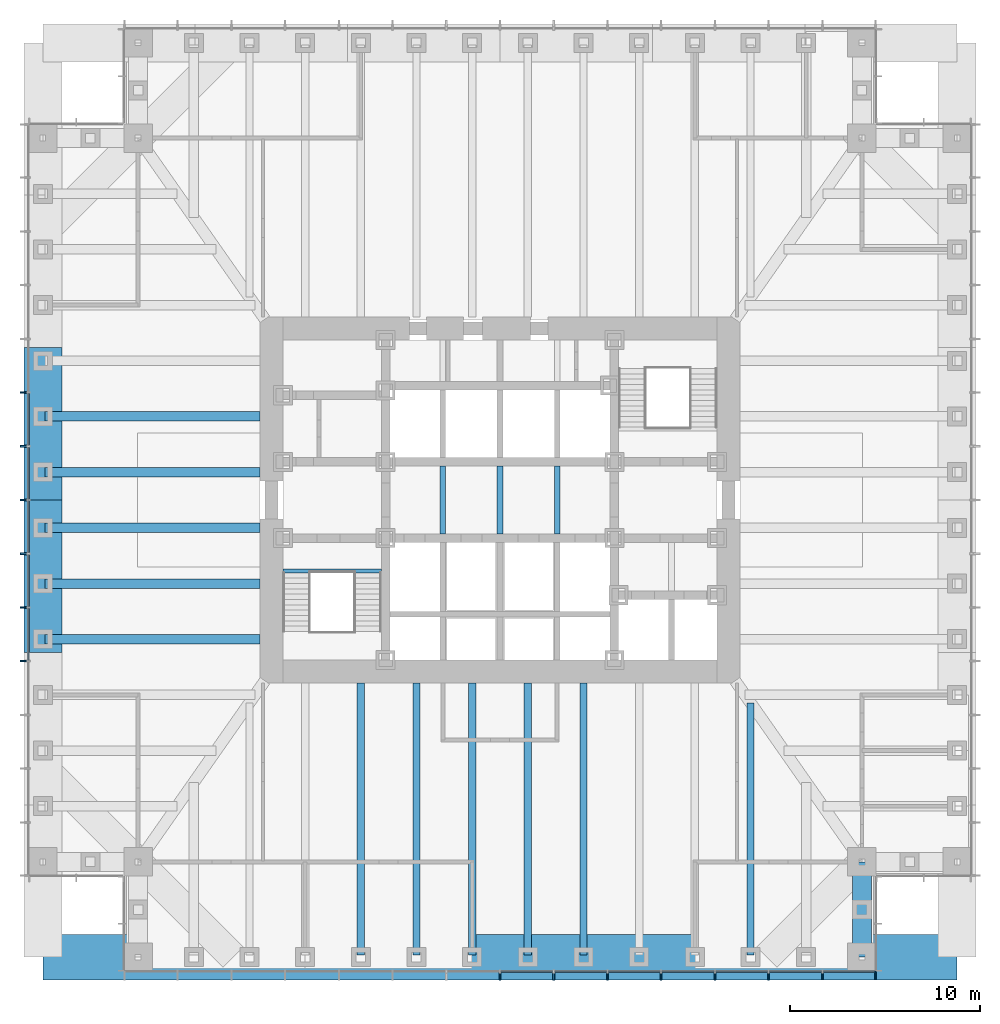
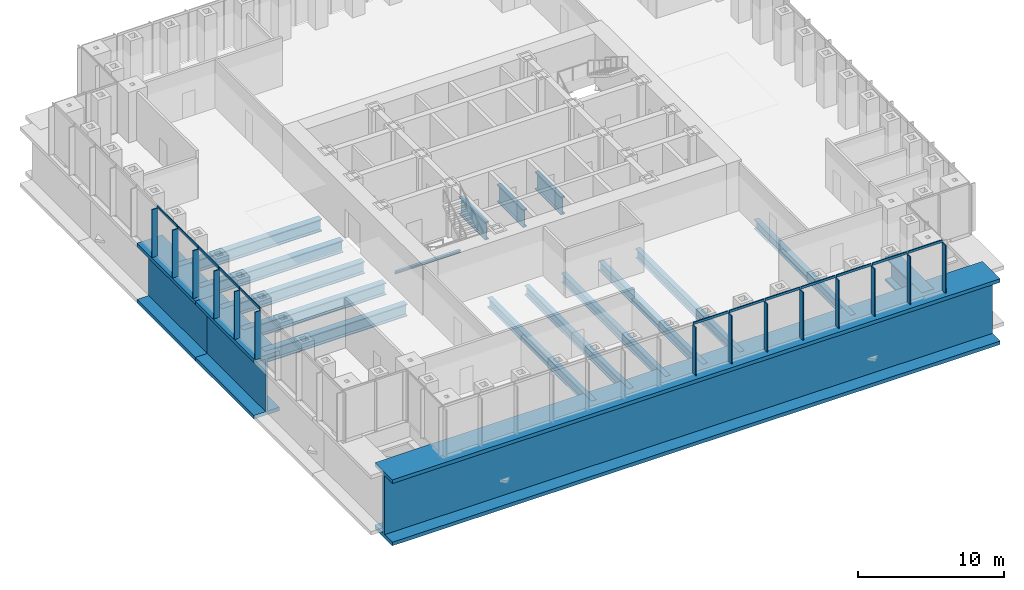
# One storey, part 3 of 16: 26 members, 19 beams, 2 elements without a shape of their own.
"""IFC4 building model written with IfcOpenShell, lengths in metres."""

from ifc_helpers import new_model, si_unit, direction, frame, origin, origin_2d, place, context, subcontext, project, spatial, rectangle, i_section, extrude, material, material_profile, profile_set, type_object, element, aggregate, save


model = new_model("IFC4")

# Units and contexts
model_context = context("Model", 3, precision=1e-05, world=origin(), true_north=direction((0.0, 1.0)))
body_context = subcontext(model_context, "Body", "Model", "MODEL_VIEW")
ifc_project = project(units=[si_unit("LENGTHUNIT", "METRE"), si_unit("AREAUNIT", "SQUARE_METRE"), si_unit("VOLUMEUNIT", "CUBIC_METRE"), si_unit("PLANEANGLEUNIT", "RADIAN"), si_unit("MASSUNIT", "GRAM", prefix="KILO")], contexts=[model_context])

# Site, building, storey
site_placement = place(None, origin())
site = spatial("IfcSite", under=ifc_project, at=site_placement, CompositionType="ELEMENT")
building_placement = place(site_placement, origin())
building = spatial("IfcBuilding", under=site, at=building_placement, Name="Daluyong Arena Tower", CompositionType="ELEMENT")
storey_placement = place(building_placement, frame((0.0, 0.0, 34.89990234375)))
storey = spatial("IfcBuildingStorey", under=building, at=storey_placement, Name="L06", CompositionType="ELEMENT", Elevation=34.89990234375)

# Curtain wall, members
ifc_material_1 = material(Name="Bronze anodised aluminium and glass", Category="aluminium")
curtain_wall_type = type_object("IfcCurtainWallType", Name="Curtain wall CW1", PredefinedType="USERDEFINED", material=ifc_material_1)
curtain_wall_1_placement = place(storey_placement, origin())
curtain_wall_1 = element("IfcCurtainWall", 1, at=curtain_wall_1_placement, inside=storey, type_object=curtain_wall_type, Name="curtain wall L06 S", ObjectType="UNITISED CURTAIN WALL", PredefinedType="USERDEFINED")
ifc_material_2 = material(Name="Bronze anodised aluminium fin", Category="aluminium")
ifc_material_profile_1 = material_profile(ifc_material_2, rectangle(XDim=0.449951171875, YDim=0.080078125, at=origin_2d()))
ifc_profile_set_1 = profile_set([ifc_material_profile_1], Name="Bronze anodised aluminium fin")
member_type_1 = type_object("IfcMemberType", Name="CW1 bronze fin 450x80", PredefinedType="MULLION", material=ifc_profile_set_1)
member_1_placement = place(storey_placement, frame((56.0, 55.02490234375, 0.0), z_axis=(0.0, 0.0, 1.0), x_axis=(0.0, 1.0, 0.0)))
member_1 = element("IfcMember", 2, at=member_1_placement, type_object=member_type_1, Name="curtain wall L06 S fin 8", PredefinedType="MULLION", context=body_context, shape_type="SweptSolid", body=[
    extrude(rectangle(XDim=0.449951171875, YDim=0.080078125, at=origin_2d()), origin(), (0.0, 0.0, 1.0), 4.0),
])
member_2_placement = place(storey_placement, frame((58.821533203125, 55.02490234375, 0.0), z_axis=(0.0, 0.0, 1.0), x_axis=(0.0, 1.0, 0.0)))
member_2 = element("IfcMember", 3, at=member_2_placement, type_object=member_type_1, Name="curtain wall L06 S fin 9", PredefinedType="MULLION", context=body_context, shape_type="SweptSolid", body=[
    extrude(rectangle(XDim=0.449951171875, YDim=0.080078125, at=origin_2d()), origin(), (0.0, 0.0, 1.0), 4.0),
])
member_3_placement = place(storey_placement, frame((61.642822265625, 55.02490234375, 0.0), z_axis=(0.0, 0.0, 1.0), x_axis=(0.0, 1.0, 0.0)))
member_3 = element("IfcMember", 4, at=member_3_placement, type_object=member_type_1, Name="curtain wall L06 S fin 10", PredefinedType="MULLION", context=body_context, shape_type="SweptSolid", body=[
    extrude(rectangle(XDim=0.449951171875, YDim=0.080078125, at=origin_2d()), origin(), (0.0, 0.0, 1.0), 4.0),
])
member_4_placement = place(storey_placement, frame((64.46435546875, 55.02490234375, 0.0), z_axis=(0.0, 0.0, 1.0), x_axis=(0.0, 1.0, 0.0)))
member_4 = element("IfcMember", 5, at=member_4_placement, type_object=member_type_1, Name="curtain wall L06 S fin 11", PredefinedType="MULLION", context=body_context, shape_type="SweptSolid", body=[
    extrude(rectangle(XDim=0.449951171875, YDim=0.080078125, at=origin_2d()), origin(), (0.0, 0.0, 1.0), 4.0),
])
member_5_placement = place(storey_placement, frame((67.28564453125, 55.02490234375, 0.0), z_axis=(0.0, 0.0, 1.0), x_axis=(0.0, 1.0, 0.0)))
member_5 = element("IfcMember", 6, at=member_5_placement, type_object=member_type_1, Name="curtain wall L06 S fin 12", PredefinedType="MULLION", context=body_context, shape_type="SweptSolid", body=[
    extrude(rectangle(XDim=0.449951171875, YDim=0.080078125, at=origin_2d()), origin(), (0.0, 0.0, 1.0), 4.0),
])
member_6_placement = place(storey_placement, frame((70.107177734375, 55.02490234375, 0.0), z_axis=(0.0, 0.0, 1.0), x_axis=(0.0, 1.0, 0.0)))
member_6 = element("IfcMember", 7, at=member_6_placement, type_object=member_type_1, Name="curtain wall L06 S fin 13", PredefinedType="MULLION", context=body_context, shape_type="SweptSolid", body=[
    extrude(rectangle(XDim=0.449951171875, YDim=0.080078125, at=origin_2d()), origin(), (0.0, 0.0, 1.0), 4.0),
])
member_7_placement = place(storey_placement, frame((72.928466796875, 55.02490234375, 0.0), z_axis=(0.0, 0.0, 1.0), x_axis=(0.0, 1.0, 0.0)))
member_7 = element("IfcMember", 8, at=member_7_placement, type_object=member_type_1, Name="curtain wall L06 S fin 14", PredefinedType="MULLION", context=body_context, shape_type="SweptSolid", body=[
    extrude(rectangle(XDim=0.449951171875, YDim=0.080078125, at=origin_2d()), origin(), (0.0, 0.0, 1.0), 4.0),
])
member_8_placement = place(storey_placement, frame((75.7099609375, 55.02490234375, 0.0), z_axis=(0.0, 0.0, 1.0), x_axis=(0.0, 1.0, 0.0)))
member_8 = element("IfcMember", 9, at=member_8_placement, type_object=member_type_1, Name="curtain wall L06 S fin 15", PredefinedType="MULLION", context=body_context, shape_type="SweptSolid", body=[
    extrude(rectangle(XDim=0.449951171875, YDim=0.080078125, at=origin_2d()), origin(), (0.0, 0.0, 1.0), 4.0),
])

curtain_wall_2_placement = place(storey_placement, origin())
curtain_wall_2 = element("IfcCurtainWall", 10, at=curtain_wall_2_placement, inside=storey, type_object=curtain_wall_type, Name="curtain wall L06 W", ObjectType="UNITISED CURTAIN WALL", PredefinedType="USERDEFINED")
member_9_placement = place(storey_placement, frame((31.02490234375, 85.642822265625, 0.0), z_axis=(0.0, 0.0, 1.0), x_axis=(1.0, 0.0, 0.0)))
member_9 = element("IfcMember", 11, at=member_9_placement, type_object=member_type_1, Name="curtain wall L06 W fin 6", PredefinedType="MULLION", context=body_context, shape_type="SweptSolid", body=[
    extrude(rectangle(XDim=0.449951171875, YDim=0.080078125, at=origin_2d()), origin(), (0.0, 0.0, 1.0), 4.0),
])
member_10_placement = place(storey_placement, frame((31.02490234375, 82.821533203125, 0.0), z_axis=(0.0, 0.0, 1.0), x_axis=(1.0, 0.0, 0.0)))
member_10 = element("IfcMember", 12, at=member_10_placement, type_object=member_type_1, Name="curtain wall L06 W fin 7", PredefinedType="MULLION", context=body_context, shape_type="SweptSolid", body=[
    extrude(rectangle(XDim=0.449951171875, YDim=0.080078125, at=origin_2d()), origin(), (0.0, 0.0, 1.0), 4.0),
])
member_11_placement = place(storey_placement, frame((31.02490234375, 80.0, 0.0), z_axis=(0.0, 0.0, 1.0), x_axis=(1.0, 0.0, 0.0)))
member_11 = element("IfcMember", 13, at=member_11_placement, type_object=member_type_1, Name="curtain wall L06 W fin 8", PredefinedType="MULLION", context=body_context, shape_type="SweptSolid", body=[
    extrude(rectangle(XDim=0.449951171875, YDim=0.080078125, at=origin_2d()), origin(), (0.0, 0.0, 1.0), 4.0),
])
member_12_placement = place(storey_placement, frame((31.02490234375, 77.178466796875, 0.0), z_axis=(0.0, 0.0, 1.0), x_axis=(1.0, 0.0, 0.0)))
member_12 = element("IfcMember", 14, at=member_12_placement, type_object=member_type_1, Name="curtain wall L06 W fin 9", PredefinedType="MULLION", context=body_context, shape_type="SweptSolid", body=[
    extrude(rectangle(XDim=0.449951171875, YDim=0.080078125, at=origin_2d()), origin(), (0.0, 0.0, 1.0), 4.0),
])
member_13_placement = place(storey_placement, frame((31.02490234375, 74.357177734375, 0.0), z_axis=(0.0, 0.0, 1.0), x_axis=(1.0, 0.0, 0.0)))
member_13 = element("IfcMember", 15, at=member_13_placement, type_object=member_type_1, Name="curtain wall L06 W fin 10", PredefinedType="MULLION", context=body_context, shape_type="SweptSolid", body=[
    extrude(rectangle(XDim=0.449951171875, YDim=0.080078125, at=origin_2d()), origin(), (0.0, 0.0, 1.0), 4.0),
])
member_14_placement = place(storey_placement, frame((31.02490234375, 71.53564453125, 0.0), z_axis=(0.0, 0.0, 1.0), x_axis=(1.0, 0.0, 0.0)))
member_14 = element("IfcMember", 16, at=member_14_placement, type_object=member_type_1, Name="curtain wall L06 W fin 11", PredefinedType="MULLION", context=body_context, shape_type="SweptSolid", body=[
    extrude(rectangle(XDim=0.449951171875, YDim=0.080078125, at=origin_2d()), origin(), (0.0, 0.0, 1.0), 4.0),
])

# Member
ifc_material_3 = material(Name="Bronze anodised aluminium", Category="aluminium")
ifc_material_profile_2 = material_profile(ifc_material_3, rectangle(XDim=0.080078125, YDim=0.199951171875, at=origin_2d()))
ifc_profile_set_2 = profile_set([ifc_material_profile_2], Name="Bronze anodised aluminium")
member_type_2 = type_object("IfcMemberType", Name="CW1 stack transom 200x80", PredefinedType="USERDEFINED", material=ifc_profile_set_2)
member_15_placement = place(storey_placement, frame((56.0400390625, 55.25, 4.10009765625), z_axis=(1.0, 0.0, 0.0), x_axis=(0.0, 1.0, 0.0)))
member_15 = element("IfcMember", 17, at=member_15_placement, type_object=member_type_2, Name="curtain wall L06 S transom 8", ObjectType="TRANSOM", PredefinedType="USERDEFINED", context=body_context, shape_type="SweptSolid", body=[
    extrude(rectangle(XDim=0.080078125, YDim=0.199951171875, at=origin_2d()), origin(), (0.0, 0.0, 1.0), 2.741455078125),
])

member_16_placement = place(storey_placement, frame((58.861328125, 55.25, 4.10009765625), z_axis=(1.0, 0.0, 0.0), x_axis=(0.0, 1.0, 0.0)))
member_16 = element("IfcMember", 18, at=member_16_placement, type_object=member_type_2, Name="curtain wall L06 S transom 9", ObjectType="TRANSOM", PredefinedType="USERDEFINED", context=body_context, shape_type="SweptSolid", body=[
    extrude(rectangle(XDim=0.080078125, YDim=0.199951171875, at=origin_2d()), origin(), (0.0, 0.0, 1.0), 2.741455078125),
])

member_17_placement = place(storey_placement, frame((61.682861328125, 55.25, 4.10009765625), z_axis=(1.0, 0.0, 0.0), x_axis=(0.0, 1.0, 0.0)))
member_17 = element("IfcMember", 19, at=member_17_placement, type_object=member_type_2, Name="curtain wall L06 S transom 10", ObjectType="TRANSOM", PredefinedType="USERDEFINED", context=body_context, shape_type="SweptSolid", body=[
    extrude(rectangle(XDim=0.080078125, YDim=0.199951171875, at=origin_2d()), origin(), (0.0, 0.0, 1.0), 2.741455078125),
])

member_18_placement = place(storey_placement, frame((64.50439453125, 55.25, 4.10009765625), z_axis=(1.0, 0.0, 0.0), x_axis=(0.0, 1.0, 0.0)))
member_18 = element("IfcMember", 20, at=member_18_placement, type_object=member_type_2, Name="curtain wall L06 S transom 11", ObjectType="TRANSOM", PredefinedType="USERDEFINED", context=body_context, shape_type="SweptSolid", body=[
    extrude(rectangle(XDim=0.080078125, YDim=0.199951171875, at=origin_2d()), origin(), (0.0, 0.0, 1.0), 2.7412109375),
])

member_19_placement = place(storey_placement, frame((67.32568359375, 55.25, 4.10009765625), z_axis=(1.0, 0.0, 0.0), x_axis=(0.0, 1.0, 0.0)))
member_19 = element("IfcMember", 21, at=member_19_placement, type_object=member_type_2, Name="curtain wall L06 S transom 12", ObjectType="TRANSOM", PredefinedType="USERDEFINED", context=body_context, shape_type="SweptSolid", body=[
    extrude(rectangle(XDim=0.080078125, YDim=0.199951171875, at=origin_2d()), origin(), (0.0, 0.0, 1.0), 2.741455078125),
])

member_20_placement = place(storey_placement, frame((70.147216796875, 55.25, 4.10009765625), z_axis=(1.0, 0.0, 0.0), x_axis=(0.0, 1.0, 0.0)))
member_20 = element("IfcMember", 22, at=member_20_placement, type_object=member_type_2, Name="curtain wall L06 S transom 13", ObjectType="TRANSOM", PredefinedType="USERDEFINED", context=body_context, shape_type="SweptSolid", body=[
    extrude(rectangle(XDim=0.080078125, YDim=0.199951171875, at=origin_2d()), origin(), (0.0, 0.0, 1.0), 2.741455078125),
])

member_21_placement = place(storey_placement, frame((72.968505859375, 55.25, 4.10009765625), z_axis=(1.0, 0.0, 0.0), x_axis=(0.0, 1.0, 0.0)))
member_21 = element("IfcMember", 23, at=member_21_placement, type_object=member_type_2, Name="curtain wall L06 S transom 14", ObjectType="TRANSOM", PredefinedType="USERDEFINED", context=body_context, shape_type="SweptSolid", body=[
    extrude(rectangle(XDim=0.080078125, YDim=0.199951171875, at=origin_2d()), origin(), (0.0, 0.0, 1.0), 2.701416015625),
])

aggregate(curtain_wall_1, [member_1, member_2, member_3, member_4, member_5, member_6, member_7, member_8, member_15, member_16, member_17, member_18, member_19, member_20, member_21])

member_22_placement = place(storey_placement, frame((31.25, 85.602783203125, 4.10009765625), z_axis=(0.0, -1.0, 0.0), x_axis=(1.0, 0.0, 0.0)))
member_22 = element("IfcMember", 24, at=member_22_placement, type_object=member_type_2, Name="curtain wall L06 W transom 6", ObjectType="TRANSOM", PredefinedType="USERDEFINED", context=body_context, shape_type="SweptSolid", body=[
    extrude(rectangle(XDim=0.080078125, YDim=0.199951171875, at=origin_2d()), origin(), (0.0, 0.0, 1.0), 2.741455078125),
])

member_23_placement = place(storey_placement, frame((31.25, 82.781494140625, 4.10009765625), z_axis=(0.0, -1.0, 0.0), x_axis=(1.0, 0.0, 0.0)))
member_23 = element("IfcMember", 25, at=member_23_placement, type_object=member_type_2, Name="curtain wall L06 W transom 7", ObjectType="TRANSOM", PredefinedType="USERDEFINED", context=body_context, shape_type="SweptSolid", body=[
    extrude(rectangle(XDim=0.080078125, YDim=0.199951171875, at=origin_2d()), origin(), (0.0, 0.0, 1.0), 2.741455078125),
])

member_24_placement = place(storey_placement, frame((31.25, 79.9599609375, 4.10009765625), z_axis=(0.0, -1.0, 0.0), x_axis=(1.0, 0.0, 0.0)))
member_24 = element("IfcMember", 26, at=member_24_placement, type_object=member_type_2, Name="curtain wall L06 W transom 8", ObjectType="TRANSOM", PredefinedType="USERDEFINED", context=body_context, shape_type="SweptSolid", body=[
    extrude(rectangle(XDim=0.080078125, YDim=0.199951171875, at=origin_2d()), origin(), (0.0, 0.0, 1.0), 2.741455078125),
])

member_25_placement = place(storey_placement, frame((31.25, 77.138671875, 4.10009765625), z_axis=(0.0, -1.0, 0.0), x_axis=(1.0, 0.0, 0.0)))
member_25 = element("IfcMember", 27, at=member_25_placement, type_object=member_type_2, Name="curtain wall L06 W transom 9", ObjectType="TRANSOM", PredefinedType="USERDEFINED", context=body_context, shape_type="SweptSolid", body=[
    extrude(rectangle(XDim=0.080078125, YDim=0.199951171875, at=origin_2d()), origin(), (0.0, 0.0, 1.0), 2.741455078125),
])

member_26_placement = place(storey_placement, frame((31.25, 74.317138671875, 4.10009765625), z_axis=(0.0, -1.0, 0.0), x_axis=(1.0, 0.0, 0.0)))
member_26 = element("IfcMember", 28, at=member_26_placement, type_object=member_type_2, Name="curtain wall L06 W transom 10", ObjectType="TRANSOM", PredefinedType="USERDEFINED", context=body_context, shape_type="SweptSolid", body=[
    extrude(rectangle(XDim=0.080078125, YDim=0.199951171875, at=origin_2d()), origin(), (0.0, 0.0, 1.0), 2.741455078125),
])

aggregate(curtain_wall_2, [member_9, member_10, member_11, member_12, member_13, member_14, member_22, member_23, member_24, member_25, member_26])

# Beams
ifc_material_4 = material(Name="Steel ASTM A572 Grade 50", Category="steel")
ifc_material_profile_3 = material_profile(ifc_material_4, i_section(OverallWidth=0.5, OverallDepth=1.0, WebThickness=0.03, FlangeThickness=0.06, at=origin_2d()))
ifc_profile_set_3 = profile_set([ifc_material_profile_3], Name="Steel ASTM A572 Grade 50")
beam_type_1 = type_object("IfcBeamType", Name="Floor beam TB1000X500", PredefinedType="BEAM", material=ifc_profile_set_3)
for number, where, z_axis, x_axis, name in (
    (29, (32.114990234375, 84.384521484375, -0.7998046875), (1.0, 0.0, 0.0), (0.0, 1.0, 0.0), "floor beam FB1"),
    (30, (32.114990234375, 81.46142578125, -0.7998046875), (1.0, 0.0, 0.0), (0.0, 1.0, 0.0), "floor beam FB1"),
    (31, (32.114990234375, 78.53857421875, -0.7998046875), (1.0, 0.0, 0.0), (0.0, 1.0, 0.0), "floor beam FB1"),
    (32, (32.114990234375, 75.615478515625, -0.7998046875), (1.0, 0.0, 0.0), (0.0, 1.0, 0.0), "floor beam FB1"),
    (33, (32.114990234375, 72.6923828125, -0.7998046875), (1.0, 0.0, 0.0), (0.0, 1.0, 0.0), "floor beam FB1"),
):
    element("IfcBeam", number, at=place(storey_placement, frame(where, z_axis=z_axis, x_axis=x_axis)), inside=storey, type_object=beam_type_1, Name=name, PredefinedType="BEAM", context=body_context, shape_type="SweptSolid", body=[
        extrude(i_section(OverallWidth=0.5, OverallDepth=1.0, WebThickness=0.03, FlangeThickness=0.06, at=origin_2d()), origin(), (0.0, 0.0, 1.0), 11.284912109375),
    ])
ifc_material_5 = material(Name="Steel ASTM A992 Grade 50", Category="steel")
ifc_material_profile_4 = material_profile(ifc_material_5, i_section(OverallWidth=0.381103515625, OverallDepth=0.772216796875, WebThickness=0.0166015625, FlangeThickness=0.027099609375, at=origin_2d()))
ifc_profile_set_4 = profile_set([ifc_material_profile_4], Name="Steel ASTM A992 Grade 50")
beam_type_2 = type_object("IfcBeamType", Name="Floor beam W30X173", PredefinedType="BEAM", material=ifc_profile_set_4)
for number, where, z_axis, x_axis, name in (
    (34, (48.6923828125, 56.114990234375, -0.68603515625), (0.0, 1.0, 0.0), (-1.0, 0.0, 0.0), "floor beam FB2"),
    (35, (51.615478515625, 56.114990234375, -0.68603515625), (0.0, 1.0, 0.0), (-1.0, 0.0, 0.0), "floor beam FB2"),
    (36, (54.53857421875, 56.114990234375, -0.68603515625), (0.0, 1.0, 0.0), (-1.0, 0.0, 0.0), "floor beam FB2"),
    (37, (57.46142578125, 56.114990234375, -0.68603515625), (0.0, 1.0, 0.0), (-1.0, 0.0, 0.0), "floor beam FB2"),
    (38, (60.384521484375, 56.114990234375, -0.68603515625), (0.0, 1.0, 0.0), (-1.0, 0.0, 0.0), "floor beam FB2"),
):
    element("IfcBeam", number, at=place(storey_placement, frame(where, z_axis=z_axis, x_axis=x_axis)), inside=storey, type_object=beam_type_2, Name=name, PredefinedType="BEAM", context=body_context, shape_type="SweptSolid", body=[
        extrude(i_section(OverallWidth=0.381103515625, OverallDepth=0.772216796875, WebThickness=0.0166015625, FlangeThickness=0.027099609375, at=origin_2d()), origin(), (0.0, 0.0, 1.0), 14.284912109375),
    ])
beam_1_placement = place(storey_placement, frame((69.15380859375, 56.114990234375, -0.68603515625), z_axis=(0.0, 1.0, 0.0), x_axis=(-1.0, 0.0, 0.0)))
element("IfcBeam", 39, at=beam_1_placement, inside=storey, type_object=beam_type_2, Name="floor beam FB2", PredefinedType="BEAM", context=body_context, shape_type="SweptSolid", body=[
    extrude(i_section(OverallWidth=0.381103515625, OverallDepth=0.772216796875, WebThickness=0.0166015625, FlangeThickness=0.027099609375, at=origin_2d()), origin(), (0.0, 0.0, 1.0), 13.236572265625),
])
ifc_material_6 = material(Name="Steel ASTM A572 Grade 50", Category="steel")
ifc_material_profile_5 = material_profile(ifc_material_6, i_section(OverallWidth=0.300048828125, OverallDepth=1.5, WebThickness=0.04, FlangeThickness=0.1, at=origin_2d()))
ifc_profile_set_5 = profile_set([ifc_material_profile_5], Name="Steel ASTM A572 Grade 50")
beam_type_3 = type_object("IfcBeamType", Name="Lift divider beam PG1500X300", PredefinedType="BEAM", material=ifc_profile_set_5)
for number, where, z_axis, x_axis, name in (
    (40, (53.0, 78.22509765625, -1.0498046875), (0.0, 1.0, 0.0), (-1.0, 0.0, 0.0), "lift divider beam DB2"),
    (41, (56.0, 78.22509765625, -1.0498046875), (0.0, 1.0, 0.0), (-1.0, 0.0, 0.0), "lift divider beam DB2"),
    (42, (59.0, 78.22509765625, -1.0498046875), (0.0, 1.0, 0.0), (-1.0, 0.0, 0.0), "lift divider beam DB2"),
):
    element("IfcBeam", number, at=place(storey_placement, frame(where, z_axis=z_axis, x_axis=x_axis)), inside=storey, type_object=beam_type_3, Name=name, PredefinedType="BEAM", context=body_context, shape_type="SweptSolid", body=[
        extrude(i_section(OverallWidth=0.300048828125, OverallDepth=1.5, WebThickness=0.04, FlangeThickness=0.1, at=origin_2d()), origin(), (0.0, 0.0, 1.0), 3.5498046875),
    ])
ifc_material_7 = material(Name="Steel ASTM A36", Category="steel")
ifc_material_profile_6 = material_profile(ifc_material_7, i_section(OverallWidth=2.39990234375, OverallDepth=5.5, WebThickness=0.3, FlangeThickness=0.3, at=origin_2d()))
ifc_profile_set_6 = profile_set([ifc_material_profile_6], Name="Steel ASTM A36")
beam_type_4 = type_object("IfcBeamType", Name="Stage transfer girder PG5500X2400", PredefinedType="BEAM", material=ifc_profile_set_6)
beam_2_placement = place(storey_placement, frame((32.0, 56.0, -3.0498046875), z_axis=(1.0, 0.0, 0.0), x_axis=(0.0, 1.0, 0.0)))
element("IfcBeam", 43, at=beam_2_placement, inside=storey, type_object=beam_type_4, Name="stage transfer girder TG-S", PredefinedType="BEAM", context=body_context, shape_type="SweptSolid", body=[
    extrude(i_section(OverallWidth=2.39990234375, OverallDepth=5.5, WebThickness=0.3, FlangeThickness=0.3, at=origin_2d()), origin(), (0.0, 0.0, 1.0), 48.0),
])
ifc_material_8 = material(Name="Steel ASTM A992 Grade 50", Category="steel")
ifc_material_profile_7 = material_profile(ifc_material_8, i_section(OverallWidth=0.203125, OverallDepth=0.203125, WebThickness=0.00732421875, FlangeThickness=0.010986328125, at=origin_2d()))
ifc_profile_set_7 = profile_set([ifc_material_profile_7], Name="Steel ASTM A992 Grade 50")
beam_type_5 = type_object("IfcBeamType", Name="Stair landing beam W8X31", PredefinedType="BEAM", material=ifc_profile_set_7)
beam_3_placement = place(storey_placement, frame((44.60009765625, 76.276611328125, -0.401611328125), z_axis=(1.0, 0.0, 0.0), x_axis=(0.0, 1.0, 0.0)))
element("IfcBeam", 44, at=beam_3_placement, inside=storey, type_object=beam_type_5, Name="exit stair A landing beam", PredefinedType="BEAM", context=body_context, shape_type="SweptSolid", body=[
    extrude(i_section(OverallWidth=0.203125, OverallDepth=0.203125, WebThickness=0.00732421875, FlangeThickness=0.010986328125, at=origin_2d()), origin(), (0.0, 0.0, 1.0), 5.1748046875),
])
ifc_material_9 = material(Name="Steel ASTM A36", Category="steel")
ifc_material_profile_8 = material_profile(ifc_material_9, i_section(OverallWidth=2.0, OverallDepth=5.0, WebThickness=0.14, FlangeThickness=0.3, at=origin_2d()))
ifc_profile_set_8 = profile_set([ifc_material_profile_8], Name="Steel ASTM A36")
beam_type_6 = type_object("IfcBeamType", Name="Tower transfer girder PG5000X2000", PredefinedType="BEAM", material=ifc_profile_set_8)
for number, where, z_axis, x_axis, name in (
    (45, (32.0, 72.0, -2.7998046875), (0.0, 1.0, 0.0), (-1.0, 0.0, 0.0), "tower transfer girder TG2"),
    (46, (32.0, 80.0, -2.7998046875), (0.0, 1.0, 0.0), (-1.0, 0.0, 0.0), "tower transfer girder TG2"),
):
    element("IfcBeam", number, at=place(storey_placement, frame(where, z_axis=z_axis, x_axis=x_axis)), inside=storey, type_object=beam_type_6, Name=name, PredefinedType="BEAM", context=body_context, shape_type="SweptSolid", body=[
        extrude(i_section(OverallWidth=2.0, OverallDepth=5.0, WebThickness=0.14, FlangeThickness=0.3, at=origin_2d()), origin(), (0.0, 0.0, 1.0), 8.0),
    ])
ifc_material_10 = material(Name="Steel ASTM A588 Grade 50", Category="steel")
ifc_material_profile_9 = material_profile(ifc_material_10, i_section(OverallWidth=1.0, OverallDepth=2.0, WebThickness=0.06, FlangeThickness=0.15, at=origin_2d()))
ifc_profile_set_9 = profile_set([ifc_material_profile_9], Name="Steel ASTM A588 Grade 50")
beam_type_7 = type_object("IfcBeamType", Name="Transfer beam PG2000X1000", PredefinedType="BEAM", material=ifc_profile_set_9)
beam_4_placement = place(storey_placement, frame((75.0, 56.0, -1.2998046875), z_axis=(0.0, 1.0, 0.0), x_axis=(-1.0, 0.0, 0.0)))
element("IfcBeam", 47, at=beam_4_placement, inside=storey, type_object=beam_type_7, Name="transfer beam TR2", PredefinedType="BEAM", context=body_context, shape_type="SweptSolid", body=[
    extrude(i_section(OverallWidth=1.0, OverallDepth=2.0, WebThickness=0.06, FlangeThickness=0.15, at=origin_2d()), origin(), (0.0, 0.0, 1.0), 5.0),
])

save(model, "model.ifc")
